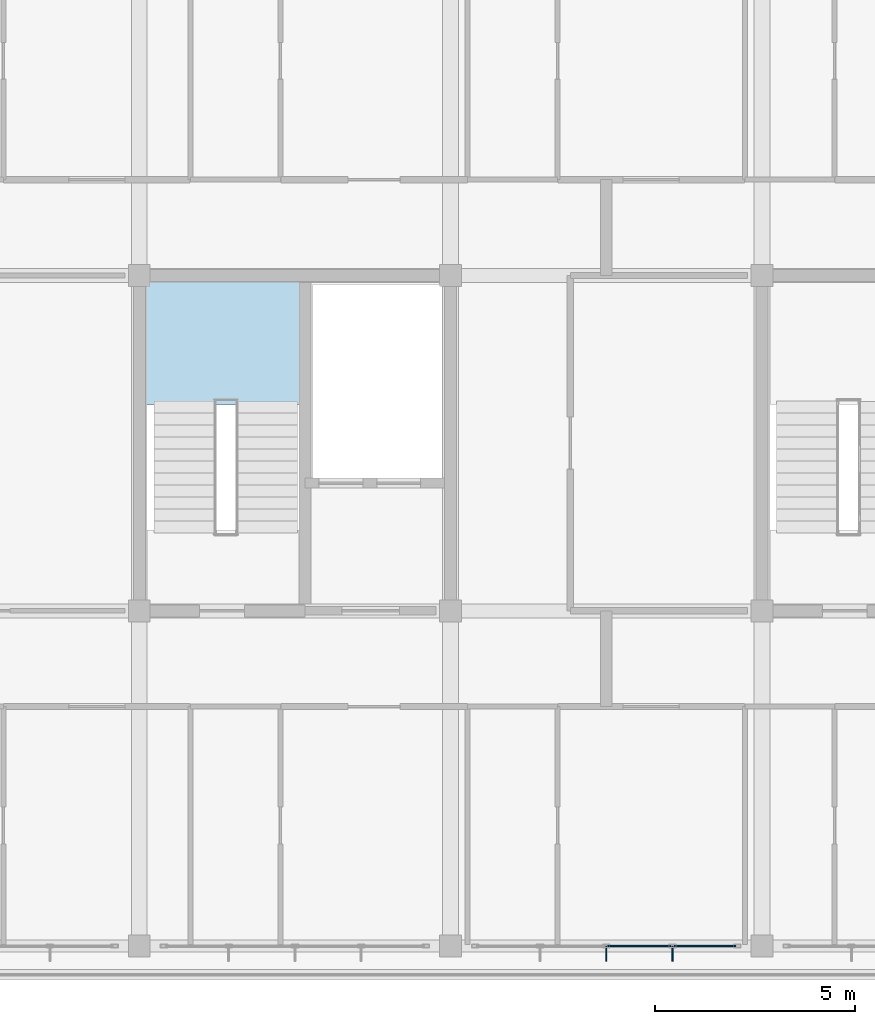
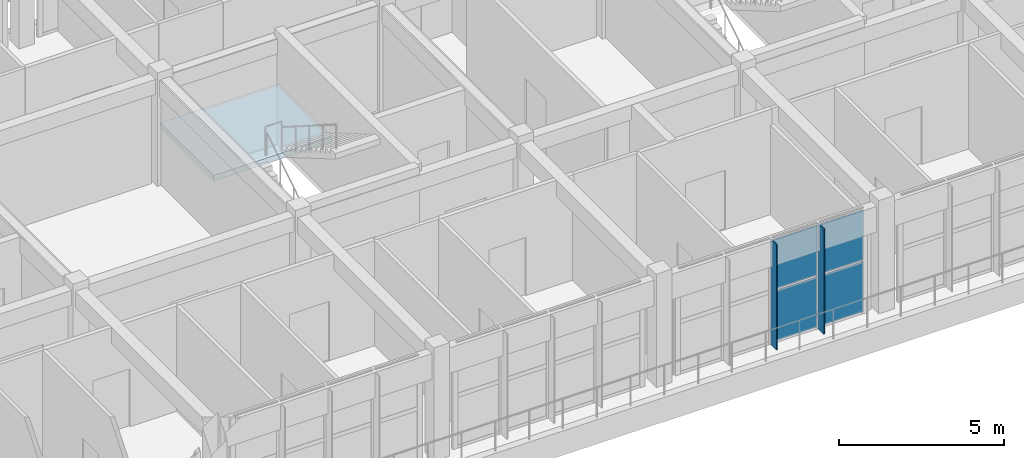
# One storey, part 32 of 44: 6 plates, 1 slab, 2 elements without a shape of their own.
"""IFC4 building model written with IfcOpenShell, lengths in metres."""

from ifc_helpers import new_model, si_unit, direction, frame, origin, origin_2d, place, context, subcontext, project, spatial, polyline, rectangle, outline, extrude, material, layer, layer_set, type_object, element, aggregate, save


model = new_model("IFC4")

# Units and contexts
model_context = context("Model", 3, precision=1e-05, world=origin(), true_north=direction((0.0, 1.0)))
body_context = subcontext(model_context, "Body", "Model", "MODEL_VIEW")
ifc_project = project(units=[si_unit("LENGTHUNIT", "METRE"), si_unit("AREAUNIT", "SQUARE_METRE"), si_unit("VOLUMEUNIT", "CUBIC_METRE"), si_unit("PLANEANGLEUNIT", "RADIAN"), si_unit("MASSUNIT", "GRAM", prefix="KILO")], contexts=[model_context])

# Site, building, storey
site_placement = place(None, origin())
site = spatial("IfcSite", under=ifc_project, at=site_placement, CompositionType="ELEMENT")
building_placement = place(site_placement, origin())
building = spatial("IfcBuilding", under=site, at=building_placement, Name="Zizhar Promenade General Hospital", CompositionType="ELEMENT")
storey_placement = place(building_placement, frame((0.0, 0.0, 34.800048828125)))
storey = spatial("IfcBuildingStorey", under=building, at=storey_placement, Name="L08", CompositionType="ELEMENT", Elevation=34.800048828125)

# Curtain wall, plates
ifc_material_1 = material(Name="Anodised aluminium 6063-T6 and low-E glass", Category="aluminium")
ifc_layer_1 = layer(ifc_material_1, 0.159912109375)
ifc_layer_set_1 = layer_set([ifc_layer_1], Name="Anodised aluminium 6063-T6 and low-E glass")
curtain_wall_type = type_object("IfcCurtainWallType", Name="CW-WARD-RIB", PredefinedType="NOTDEFINED", material=ifc_layer_set_1)
curtain_wall_placement = place(storey_placement, origin())
curtain_wall = element("IfcCurtainWall", 1, at=curtain_wall_placement, inside=storey, type_object=curtain_wall_type, Name="Ward Ribbon Curtain Wall L08-17-3", PredefinedType="NOTDEFINED")
ifc_material_2 = material(Name="Low-E solar-control glass", Category="glass")
ifc_layer_2 = layer(ifc_material_2, 0.031982421875)
ifc_layer_set_2 = layer_set([ifc_layer_2], Name="Low-E solar-control glass")
plate_type_1 = type_object("IfcPlateType", Name="CWP-GLZ-32", PredefinedType="CURTAIN_PANEL", material=ifc_layer_set_2)
plate_1_placement = place(storey_placement, frame((76.570068359375, 0.0, 0.06005859375), z_axis=(0.0, 0.0, 1.0), x_axis=(-1.0, 0.0, 0.0)))
plate_1 = element("IfcPlate", 2, at=plate_1_placement, type_object=plate_type_1, Name="CW-13 panel 1.1", PredefinedType="CURTAIN_PANEL", context=body_context, shape_type="SweptSolid", body=[
    extrude(rectangle(XDim=1.5400390625, YDim=0.031982421875, at=origin_2d()), origin(), (0.0, 0.0, 1.0), 1.860107421875),
])
plate_2_placement = place(storey_placement, frame((76.570068359375, 0.0, 1.97998046875), z_axis=(0.0, 0.0, 1.0), x_axis=(-1.0, 0.0, 0.0)))
plate_2 = element("IfcPlate", 3, at=plate_2_placement, type_object=plate_type_1, Name="CW-13 panel 1.2", PredefinedType="CURTAIN_PANEL", context=body_context, shape_type="SweptSolid", body=[
    extrude(rectangle(XDim=1.5400390625, YDim=0.031982421875, at=origin_2d()), origin(), (0.0, 0.0, 1.0), 1.860107421875),
])
plate_3_placement = place(storey_placement, frame((74.929931640625, 0.0, 0.06005859375), z_axis=(0.0, 0.0, 1.0), x_axis=(-1.0, 0.0, 0.0)))
plate_3 = element("IfcPlate", 4, at=plate_3_placement, type_object=plate_type_1, Name="CW-13 panel 2.1", PredefinedType="CURTAIN_PANEL", context=body_context, shape_type="SweptSolid", body=[
    extrude(rectangle(XDim=1.580078125, YDim=0.031982421875, at=origin_2d()), origin(), (0.0, 0.0, 1.0), 1.860107421875),
])
plate_4_placement = place(storey_placement, frame((74.929931640625, 0.0, 1.97998046875), z_axis=(0.0, 0.0, 1.0), x_axis=(-1.0, 0.0, 0.0)))
plate_4 = element("IfcPlate", 5, at=plate_4_placement, type_object=plate_type_1, Name="CW-13 panel 2.2", PredefinedType="CURTAIN_PANEL", context=body_context, shape_type="SweptSolid", body=[
    extrude(rectangle(XDim=1.580078125, YDim=0.031982421875, at=origin_2d()), origin(), (0.0, 0.0, 1.0), 1.860107421875),
])
aggregate(curtain_wall, [plate_1, plate_2, plate_3, plate_4])

# Plates
ifc_material_3 = material(Name="Anodised aluminium 6063-T6", Category="aluminium")
ifc_layer_3 = layer(ifc_material_3, 0.035888671875)
ifc_layer_set_3 = layer_set([ifc_layer_3], Name="Anodised aluminium 6063-T6")
plate_type_2 = type_object("IfcPlateType", Name="FIN-ALU-380", PredefinedType="USERDEFINED", material=ifc_layer_set_3)
plate_5_placement = place(storey_placement, origin())
element("IfcPlate", 6, at=plate_5_placement, inside=storey, type_object=plate_type_2, Name="Ward Ribbon Curtain Wall L08-17-3 Solar Fin 1", ObjectType="SOLAR_SHADE", PredefinedType="USERDEFINED", context=body_context, shape_type="SweptSolid", body=[
    extrude(outline(polyline([(75.778076171875, 0.0), (75.741943359375, 0.0), (75.741943359375, -0.3798828125), (75.778076171875, -0.3798828125), (75.778076171875, 0.0)])), origin(), (0.0, 0.0, 1.0), 3.89990234375),
])
plate_6_placement = place(storey_placement, origin())
element("IfcPlate", 7, at=plate_6_placement, inside=storey, type_object=plate_type_2, Name="Ward Ribbon Curtain Wall L08-17-3 Solar Fin 2", ObjectType="SOLAR_SHADE", PredefinedType="USERDEFINED", context=body_context, shape_type="SweptSolid", body=[
    extrude(outline(polyline([(74.117919921875, 0.0), (74.08203125, 0.0), (74.08203125, -0.3798828125), (74.117919921875, -0.3798828125), (74.117919921875, 0.0)])), origin(), (0.0, 0.0, 1.0), 3.89990234375),
])

# Stair, slab
ifc_material_4 = material(Name="Concrete C35/45", Category="concrete")
stair_type = type_object("IfcStairType", Name="STR-DOG-420", PredefinedType="HALF_TURN_STAIR", material=ifc_material_4)
stair_placement = place(storey_placement, origin())
stair = element("IfcStair", 8, at=stair_placement, inside=storey, type_object=stair_type, Name="Exit Stair ST-03 (L08 to L09)", PredefinedType="HALF_TURN_STAIR")
ifc_material_5 = material(Name="Concrete C35/45", Category="concrete")
ifc_layer_4 = layer(ifc_material_5, 0.2099609375)
ifc_layer_set_4 = layer_set([ifc_layer_4], Name="Concrete C35/45")
slab_type = type_object("IfcSlabType", Name="SLB-LAND-420", PredefinedType="LANDING", material=ifc_layer_set_4)
slab_placement = place(storey_placement, frame((0.0, 0.0, 1.889892578125)))
slab = element("IfcSlab", 9, at=slab_placement, type_object=slab_type, Name="ST-03C landing 1", PredefinedType="LANDING", context=body_context, shape_type="SweptSolid", body=[
    extrude(outline(polyline([(62.39990234375, 13.570068359375), (66.550048828125, 13.570068359375), (66.550048828125, 16.800048828125), (62.39990234375, 16.800048828125), (62.39990234375, 13.570068359375)])), origin(), (0.0, 0.0, 1.0), 0.2099609375),
])
aggregate(stair, [slab])

save(model, "model.ifc")
